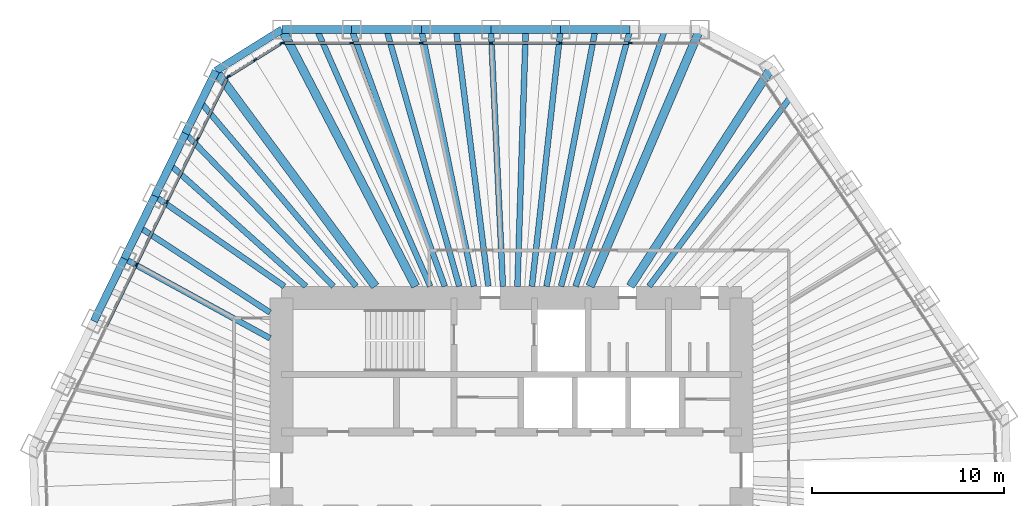
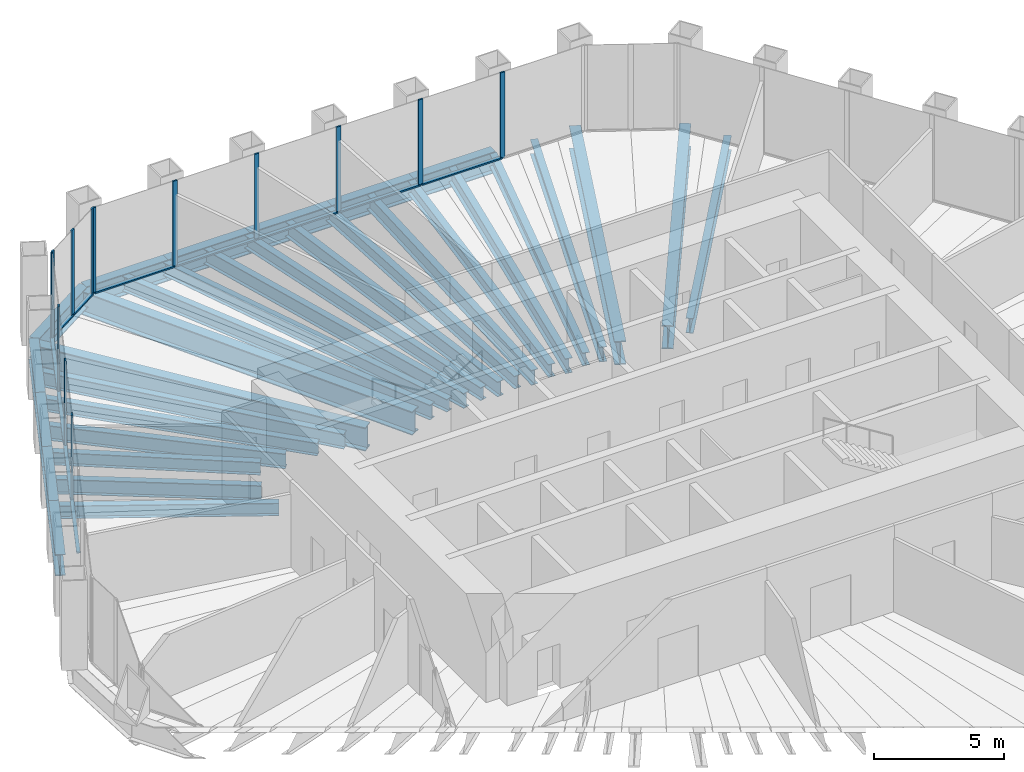
# One storey, part 6 of 14: 32 beams, 24 members, 3 elements without a shape of their own.
"""IFC4 building model written with IfcOpenShell, lengths in metres."""

import ifcopenshell
import ifcopenshell.guid

model = None  # the IFC model being written
_history = None  # IfcOwnerHistory: only IFC2X3 demands one
_inside = {}  # id of a spatial element -> (the spatial element, [elements in it])
_under = {}  # id of a project, library or spatial element -> (it, [spatial elements below it])
_declared = {}  # id of a project -> (the project, [libraries it declares])
_typed = {}  # id of a type object -> (the type object, [elements of that type])
_made_of = {}  # id of a material, layer set ... -> (it, [elements and type objects made of it])


def new_model(schema):
    """Start an empty IFC model of exactly this schema.

    Asked for "IFC4X3", IfcOpenShell would pick the latest addendum, in which some entities
    have other attributes; the version numbers below select the first issue.
    IFC2X3 requires an IfcOwnerHistory on every rooted entity: one is made here for all.
    """
    global model, _history
    if schema == "IFC4X3":
        model = ifcopenshell.file(schema_version=(4, 3, 0, 0))
    else:
        model = ifcopenshell.file(schema=schema)
    _inside.clear()
    _under.clear()
    _declared.clear()
    _typed.clear()
    _made_of.clear()
    _history = None
    if model.schema == "IFC2X3":
        org = make("IfcOrganization", Name="unknown")
        user = make(
            "IfcPersonAndOrganization",
            ThePerson=make("IfcPerson", FamilyName="unknown"),
            TheOrganization=org,
        )
        app = make(
            "IfcApplication",
            ApplicationDeveloper=org,
            Version="unknown",
            ApplicationFullName="unknown",
            ApplicationIdentifier="unknown",
        )
        _history = make(
            "IfcOwnerHistory",
            OwningUser=user,
            OwningApplication=app,
            ChangeAction="ADDED",
            CreationDate=0,
        )
    return model


def make(cls, **values):
    """One entity of the class cls with the attributes given. An attribute that is None is left unset."""
    return model.create_entity(
        cls, **{name: value for name, value in values.items() if value is not None}
    )


def rooted(cls, **values):
    """An entity with a GlobalId (a new one), such as an element, a storey or a relation."""
    return make(cls, GlobalId=ifcopenshell.guid.new(), OwnerHistory=_history, **values)


def si_unit(unit_type, name, prefix=None):
    """IfcSIUnit, for example si_unit("LENGTHUNIT", "METRE", prefix="MILLI")."""
    return make("IfcSIUnit", UnitType=unit_type, Prefix=prefix, Name=name)


def assignment(units):
    """IfcUnitAssignment: the units of a project."""
    return None if units is None else make("IfcUnitAssignment", Units=units)


def point(xyz):
    """IfcCartesianPoint."""
    return None if xyz is None else make("IfcCartesianPoint", Coordinates=xyz)


def direction(xyz):
    """IfcDirection."""
    return None if xyz is None else make("IfcDirection", DirectionRatios=xyz)


def frame(location, z_axis=None, x_axis=None):
    """IfcAxis2Placement3D, a coordinate frame: its origin and axes. An axis left out is left unset."""
    return make(
        "IfcAxis2Placement3D",
        Location=point(location),
        Axis=direction(z_axis),
        RefDirection=direction(x_axis),
    )


def frame_2d(location, x_axis=None):
    """IfcAxis2Placement2D, a coordinate frame in the plane: its origin and x axis."""
    return make(
        "IfcAxis2Placement2D", Location=point(location), RefDirection=direction(x_axis)
    )


def origin():
    """The frame at (0, 0, 0) with its axes left unset."""
    return frame((0.0, 0.0, 0.0))


def origin_2d():
    """The frame at (0, 0) in the plane with its x axis left unset."""
    return frame_2d((0.0, 0.0))


def place(relative_to, where):
    """IfcLocalPlacement: puts the frame where relative to a parent placement (None: the world)."""
    return make(
        "IfcLocalPlacement", PlacementRelTo=relative_to, RelativePlacement=where
    )


def context(
    kind, dimensions, precision=None, world=None, true_north=None, identifier=None
):
    """IfcGeometricRepresentationContext, for example the 3D "Model" context."""
    return make(
        "IfcGeometricRepresentationContext",
        ContextIdentifier=identifier,
        ContextType=kind,
        CoordinateSpaceDimension=dimensions,
        Precision=precision,
        WorldCoordinateSystem=world,
        TrueNorth=true_north,
    )


def subcontext(parent, identifier, kind, view, scale=None):
    """IfcGeometricRepresentationSubContext, for example "Body" below "Model"."""
    return make(
        "IfcGeometricRepresentationSubContext",
        ContextIdentifier=identifier,
        ContextType=kind,
        ParentContext=parent,
        TargetScale=scale,
        TargetView=view,
    )


def project(units=None, contexts=None):
    """IfcProject with its units and contexts."""
    return rooted(
        "IfcProject",
        Name="project",
        RepresentationContexts=contexts,
        UnitsInContext=assignment(units),
    )


def spatial(cls, under=None, at=None, **own):
    """A site, building, storey or space (cls), placed at a placement, below another one or the project."""
    s = rooted(cls, ObjectPlacement=at, **own)
    if under is not None:
        _under.setdefault(under.id(), (under, []))[1].append(s)
    return s


def profile(cls, at=None, kind="AREA", **sizes):
    """A parametric profile (cls). Its sizes go by their IFC names, for example OverallWidth=200.0."""
    return make(cls, ProfileType=kind, Position=at, **sizes)


def rectangle(**sizes):
    """IfcRectangleProfileDef."""
    return profile("IfcRectangleProfileDef", **sizes)


def i_section(**sizes):
    """IfcIShapeProfileDef."""
    return profile("IfcIShapeProfileDef", **sizes)


def extrude(swept, where, along, depth):
    """IfcExtrudedAreaSolid: the profile swept, set in the frame where, extruded along a direction by depth."""
    return make(
        "IfcExtrudedAreaSolid",
        SweptArea=swept,
        Position=where,
        ExtrudedDirection=direction(along),
        Depth=depth,
    )


def shape(context_of_items, identifier, shape_type, items):
    """IfcShapeRepresentation: the items that make up one representation, for example the "Body"."""
    return make(
        "IfcShapeRepresentation",
        ContextOfItems=context_of_items,
        RepresentationIdentifier=identifier,
        RepresentationType=shape_type,
        Items=items,
    )


def material(Name=None, Category=None):
    """IfcMaterial."""
    return make("IfcMaterial", Name=Name, Category=Category)


def material_profile(
    of_material, cross_section, Name=None, Category=None, Priority=None
):
    """IfcMaterialProfile: a cross section and its material."""
    return make(
        "IfcMaterialProfile",
        Name=Name,
        Material=of_material,
        Profile=cross_section,
        Priority=Priority,
        Category=Category,
    )


def profile_set(profiles, Name=None, composite=None):
    """IfcMaterialProfileSet."""
    return make(
        "IfcMaterialProfileSet",
        Name=Name,
        MaterialProfiles=profiles,
        CompositeProfile=composite,
    )


def made_of(thing, what):
    """Note that an element or type object is made of a material, layer set ...; save() writes the relation."""
    if what is not None:
        _made_of.setdefault(what.id(), (what, []))[1].append(thing)
    return thing


def type_object(cls, material=None, **own):
    """A type object (cls), such as IfcWallType, which elements share."""
    return made_of(rooted(cls, **own), material)


def element(
    cls,
    number,
    at=None,
    inside=None,
    cuts=None,
    type_object=None,
    material=None,
    context=None,
    identifier="Body",
    shape_type=None,
    held_by="IfcProductDefinitionShape",
    body=None,
    shapes=None,
    **own,
):
    """One element of the class cls, such as IfcWall. Its Tag is "e" and its number.

    at: its placement. inside: the storey or other place that contains it. cuts: it is an
    opening in that element (IfcRelVoidsElement). A single representation is given by context,
    identifier, shape_type and body (its items); several are given by shapes. held_by: the class
    of the entity that holds the representations. save() writes the other relations.
    """
    e = rooted(cls, Tag="e%d" % number, ObjectPlacement=at, **own)
    if body is not None:
        shapes = [shape(context, identifier, shape_type, body)]
    if shapes is not None:
        e.Representation = make(held_by, Representations=shapes)
    if inside is not None:
        _inside.setdefault(inside.id(), (inside, []))[1].append(e)
    if cuts is not None:
        rooted(
            "IfcRelVoidsElement", RelatingBuildingElement=cuts, RelatedOpeningElement=e
        )
    if type_object is not None:
        _typed.setdefault(type_object.id(), (type_object, []))[1].append(e)
    return made_of(e, material)


def aggregate(whole, parts):
    """IfcRelAggregates: a whole, such as a stair, and the parts it consists of."""
    return rooted("IfcRelAggregates", RelatingObject=whole, RelatedObjects=parts)


def save(model, path):
    """Write the relations noted so far, then the file.

    IfcRelAggregates (storeys below a building ...), IfcRelContainedInSpatialStructure (elements
    in a storey), IfcRelDefinesByType, IfcRelAssociatesMaterial and IfcRelDeclares: one each for
    every whole, place, type object, material and project.
    """
    for whole, parts in _under.values():
        aggregate(whole, parts)
    for where, things in _inside.values():
        rooted(
            "IfcRelContainedInSpatialStructure",
            RelatedElements=things,
            RelatingStructure=where,
        )
    for kind, things in _typed.values():
        rooted("IfcRelDefinesByType", RelatedObjects=things, RelatingType=kind)
    for what, things in _made_of.values():
        rooted("IfcRelAssociatesMaterial", RelatedObjects=things, RelatingMaterial=what)
    for by, libraries in _declared.values():
        rooted("IfcRelDeclares", RelatingContext=by, RelatedDefinitions=libraries)
    model.write(path)


model = new_model("IFC4")

# Units and contexts
model_context = context("Model", 3, precision=1e-05, world=origin(), true_north=direction((0.0, 1.0)))
body_context = subcontext(model_context, "Body", "Model", "MODEL_VIEW")
ifc_project = project(units=[si_unit("LENGTHUNIT", "METRE"), si_unit("AREAUNIT", "SQUARE_METRE"), si_unit("VOLUMEUNIT", "CUBIC_METRE"), si_unit("PLANEANGLEUNIT", "RADIAN"), si_unit("MASSUNIT", "GRAM", prefix="KILO")], contexts=[model_context])

# Site, building, storey
site_placement = place(None, origin())
site = spatial("IfcSite", under=ifc_project, at=site_placement, CompositionType="ELEMENT")
building_placement = place(site_placement, origin())
building = spatial("IfcBuilding", under=site, at=building_placement, Name="Qingtian Harvest Tower", CompositionType="ELEMENT")
storey_placement = place(building_placement, frame((0.0, 0.0, 243.39990234375)))
storey = spatial("IfcBuildingStorey", under=building, at=storey_placement, Name="L53", CompositionType="ELEMENT", Elevation=243.39990234375)

# Beams
ifc_material_1 = material(Name="Steel SM570MC", Category="steel")
ifc_material_profile_1 = material_profile(ifc_material_1, i_section(OverallWidth=0.449951171875, OverallDepth=1.10009765625, WebThickness=0.02197265625, FlangeThickness=0.044921875, at=origin_2d()), Name="H1100x450x22x45")
ifc_profile_set_1 = profile_set([ifc_material_profile_1], Name="Steel SM570MC")
beam_type_1 = type_object("IfcBeamType", Name="Corner floor beam FB8 H1100x450x22x45", PredefinedType="BEAM", material=ifc_profile_set_1)
beam_1_placement = place(storey_placement, frame((-11.971923828125, 23.0, -0.719970703125), z_axis=(0.461712460868, -0.887029651973, 0.0), x_axis=(0.887029651973, 0.461712460868, 0.0)))
element("IfcBeam", 1, at=beam_1_placement, inside=storey, type_object=beam_type_1, Name="Floor beam FB8 N0", PredefinedType="BEAM", context=body_context, shape_type="SweptSolid", body=[
    extrude(i_section(OverallWidth=0.449951171875, OverallDepth=1.10009765625, WebThickness=0.02197265625, FlangeThickness=0.044921875, at=origin_2d()), origin(), (0.0, 0.0, 1.0), 15.1064453125),
])
beam_2_placement = place(storey_placement, frame((9.829345703125, 23.0, -0.719970703125), z_axis=(-0.392976835482, -0.91954837109, 0.0), x_axis=(0.91954837109, -0.392976835482, 0.0)))
element("IfcBeam", 2, at=beam_2_placement, inside=storey, type_object=beam_type_1, Name="Floor beam FB8 N6", PredefinedType="BEAM", context=body_context, shape_type="SweptSolid", body=[
    extrude(i_section(OverallWidth=0.449951171875, OverallDepth=1.10009765625, WebThickness=0.02197265625, FlangeThickness=0.044921875, at=origin_2d()), origin(), (0.0, 0.0, 1.0), 14.572265625),
])
beam_3_placement = place(storey_placement, frame((13.5712890625, 21.01025390625, -0.719970703125), z_axis=(-0.542593072822, -0.839995688873, 0.0), x_axis=(0.839995688873, -0.542593072822, 0.0)))
element("IfcBeam", 3, at=beam_3_placement, inside=storey, type_object=beam_type_1, Name="Floor beam FB8 NE0", PredefinedType="BEAM", context=body_context, shape_type="SweptSolid", body=[
    extrude(i_section(OverallWidth=0.449951171875, OverallDepth=1.10009765625, WebThickness=0.02197265625, FlangeThickness=0.044921875, at=origin_2d()), origin(), (0.0, 0.0, 1.0), 13.58349609375),
])
beam_4_placement = place(storey_placement, frame((-15.424072265625, 20.8427734375, -0.719970703125), z_axis=(0.594854284538, -0.803833552526, 0.0), x_axis=(0.803833552526, 0.594854284538, 0.0)))
element("IfcBeam", 4, at=beam_4_placement, inside=storey, type_object=beam_type_1, Name="Floor beam FB8 NW6", PredefinedType="BEAM", context=body_context, shape_type="SweptSolid", body=[
    extrude(i_section(OverallWidth=0.449951171875, OverallDepth=1.10009765625, WebThickness=0.02197265625, FlangeThickness=0.044921875, at=origin_2d()), origin(), (0.0, 0.0, 1.0), 13.986328125),
])
ifc_material_2 = material(Name="Steel SN490B", Category="steel")
ifc_material_profile_2 = material_profile(ifc_material_2, i_section(OverallWidth=0.300048828125, OverallDepth=0.60009765625, WebThickness=0.011962890625, FlangeThickness=0.02001953125, at=origin_2d()), Name="H600x300x12x20")
ifc_profile_set_2 = profile_set([ifc_material_profile_2], Name="Steel SN490B")
beam_type_2 = type_object("IfcBeamType", Name="Floor beam FB3 H600x300x12x20", PredefinedType="BEAM", material=ifc_profile_set_2)
beam_5_placement = place(storey_placement, frame((-8.33837890625, 23.0, -0.469970703125), z_axis=(0.340826952705, -0.94012604916, 0.0), x_axis=(0.94012604916, 0.340826952705, 0.0)))
element("IfcBeam", 5, at=beam_5_placement, inside=storey, type_object=beam_type_2, Name="Floor beam FB3 N1", PredefinedType="BEAM", context=body_context, shape_type="SweptSolid", body=[
    extrude(i_section(OverallWidth=0.300048828125, OverallDepth=0.60009765625, WebThickness=0.011962890625, FlangeThickness=0.02001953125, at=origin_2d()), origin(), (0.0, 0.0, 1.0), 14.25341796875),
])
beam_6_placement = place(storey_placement, frame((-4.704833984375, 23.0, -0.469970703125), z_axis=(0.200401687601, -0.979713817197, 0.0), x_axis=(0.979713817197, 0.200401687601, 0.0)))
element("IfcBeam", 6, at=beam_6_placement, inside=storey, type_object=beam_type_2, Name="Floor beam FB3 N2", PredefinedType="BEAM", context=body_context, shape_type="SweptSolid", body=[
    extrude(i_section(OverallWidth=0.300048828125, OverallDepth=0.60009765625, WebThickness=0.011962890625, FlangeThickness=0.02001953125, at=origin_2d()), origin(), (0.0, 0.0, 1.0), 13.67724609375),
])
beam_7_placement = place(storey_placement, frame((-1.0712890625, 23.0, -0.469970703125), z_axis=(0.04651883736, -0.998917412888, 0.0), x_axis=(0.998917412888, 0.04651883736, 0.0)))
element("IfcBeam", 7, at=beam_7_placement, inside=storey, type_object=beam_type_2, Name="Floor beam FB3 N3", PredefinedType="BEAM", context=body_context, shape_type="SweptSolid", body=[
    extrude(i_section(OverallWidth=0.300048828125, OverallDepth=0.60009765625, WebThickness=0.011962890625, FlangeThickness=0.02001953125, at=origin_2d()), origin(), (0.0, 0.0, 1.0), 13.414306640625),
])
beam_8_placement = place(storey_placement, frame((2.562255859375, 23.0, -0.469970703125), z_axis=(-0.110727645803, -0.993850787822, 0.0), x_axis=(0.993850787822, -0.110727645803, 0.0)))
element("IfcBeam", 8, at=beam_8_placement, inside=storey, type_object=beam_type_2, Name="Floor beam FB3 N4", PredefinedType="BEAM", context=body_context, shape_type="SweptSolid", body=[
    extrude(i_section(OverallWidth=0.300048828125, OverallDepth=0.60009765625, WebThickness=0.011962890625, FlangeThickness=0.02001953125, at=origin_2d()), origin(), (0.0, 0.0, 1.0), 13.48291015625),
])
beam_9_placement = place(storey_placement, frame((6.19580078125, 23.0, -0.469970703125), z_axis=(-0.260121100906, -0.965576000563, 0.0), x_axis=(0.965576000563, -0.260121100906, 0.0)))
element("IfcBeam", 9, at=beam_9_placement, inside=storey, type_object=beam_type_2, Name="Floor beam FB3 N5", PredefinedType="BEAM", context=body_context, shape_type="SweptSolid", body=[
    extrude(i_section(OverallWidth=0.300048828125, OverallDepth=0.60009765625, WebThickness=0.011962890625, FlangeThickness=0.02001953125, at=origin_2d()), origin(), (0.0, 0.0, 1.0), 13.877685546875),
])
beam_10_placement = place(storey_placement, frame((-20.20263671875, 11.04541015625, -0.469970703125), z_axis=(0.87742673539, -0.479710666988, 0.0), x_axis=(0.479710666988, 0.87742673539, 0.0)))
element("IfcBeam", 10, at=beam_10_placement, inside=storey, type_object=beam_type_2, Name="Floor beam FB3 NW3", PredefinedType="BEAM", context=body_context, shape_type="SweptSolid", body=[
    extrude(i_section(OverallWidth=0.300048828125, OverallDepth=0.60009765625, WebThickness=0.011962890625, FlangeThickness=0.02001953125, at=origin_2d()), origin(), (0.0, 0.0, 1.0), 8.66455078125),
])
beam_11_placement = place(storey_placement, frame((-18.60986328125, 14.311279296875, -0.469970703125), z_axis=(0.820407854234, -0.571778762032, 0.0), x_axis=(0.571778762032, 0.820407854234, 0.0)))
element("IfcBeam", 11, at=beam_11_placement, inside=storey, type_object=beam_type_2, Name="Floor beam FB3 NW4", PredefinedType="BEAM", context=body_context, shape_type="SweptSolid", body=[
    extrude(i_section(OverallWidth=0.300048828125, OverallDepth=0.60009765625, WebThickness=0.011962890625, FlangeThickness=0.02001953125, at=origin_2d()), origin(), (0.0, 0.0, 1.0), 8.239501953125),
])
beam_12_placement = place(storey_placement, frame((-17.016845703125, 17.5771484375, -0.469970703125), z_axis=(0.695569024353, -0.718459276759, 0.0), x_axis=(0.718459276759, 0.695569024353, 0.0)))
element("IfcBeam", 12, at=beam_12_placement, inside=storey, type_object=beam_type_2, Name="Floor beam FB3 NW5", PredefinedType="BEAM", context=body_context, shape_type="SweptSolid", body=[
    extrude(i_section(OverallWidth=0.300048828125, OverallDepth=0.60009765625, WebThickness=0.011962890625, FlangeThickness=0.02001953125, at=origin_2d()), origin(), (0.0, 0.0, 1.0), 11.10302734375),
])
ifc_material_3 = material(Name="Steel SN490B", Category="steel")
ifc_material_profile_3 = material_profile(ifc_material_3, i_section(OverallWidth=0.300048828125, OverallDepth=0.699951171875, WebThickness=0.012939453125, FlangeThickness=0.02392578125, at=origin_2d()), Name="H700x300x13x24")
ifc_profile_set_3 = profile_set([ifc_material_profile_3], Name="Steel SN490B")
beam_type_3 = type_object("IfcBeamType", Name="Floor joist J2 H700x300x13x24", PredefinedType="JOIST", material=ifc_profile_set_3)
beam_13_placement = place(storey_placement, frame((-10.1552734375, 23.0, -0.52001953125), z_axis=(0.40391347792, -0.914797191925, 0.0), x_axis=(0.914797191925, 0.40391347792, 0.0)))
element("IfcBeam", 13, at=beam_13_placement, inside=storey, type_object=beam_type_3, Name="Floor joist J2 N0", PredefinedType="JOIST", context=body_context, shape_type="SweptSolid", body=[
    extrude(i_section(OverallWidth=0.300048828125, OverallDepth=0.699951171875, WebThickness=0.012939453125, FlangeThickness=0.02392578125, at=origin_2d()), origin(), (0.0, 0.0, 1.0), 14.64794921875),
])
beam_14_placement = place(storey_placement, frame((-6.521728515625, 23.0, -0.52001953125), z_axis=(0.272796737564, -0.962071691702, 0.0), x_axis=(0.962071691702, 0.272796737564, 0.0)))
element("IfcBeam", 14, at=beam_14_placement, inside=storey, type_object=beam_type_3, Name="Floor joist J2 N1", PredefinedType="JOIST", context=body_context, shape_type="SweptSolid", body=[
    extrude(i_section(OverallWidth=0.300048828125, OverallDepth=0.699951171875, WebThickness=0.012939453125, FlangeThickness=0.02392578125, at=origin_2d()), origin(), (0.0, 0.0, 1.0), 13.92822265625),
])
beam_15_placement = place(storey_placement, frame((-2.88818359375, 23.0, -0.52001953125), z_axis=(0.124590949529, -0.992208191508, 0.0), x_axis=(0.992208191508, 0.124590949529, 0.0)))
element("IfcBeam", 15, at=beam_15_placement, inside=storey, type_object=beam_type_3, Name="Floor joist J2 N2", PredefinedType="JOIST", context=body_context, shape_type="SweptSolid", body=[
    extrude(i_section(OverallWidth=0.300048828125, OverallDepth=0.699951171875, WebThickness=0.012939453125, FlangeThickness=0.02392578125, at=origin_2d()), origin(), (0.0, 0.0, 1.0), 13.505126953125),
])
beam_16_placement = place(storey_placement, frame((0.745361328125, 23.0, -0.52001953125), z_axis=(-0.032395624487, -0.99947512401, 0.0), x_axis=(0.99947512401, -0.032395624487, 0.0)))
element("IfcBeam", 16, at=beam_16_placement, inside=storey, type_object=beam_type_3, Name="Floor joist J2 N3", PredefinedType="JOIST", context=body_context, shape_type="SweptSolid", body=[
    extrude(i_section(OverallWidth=0.300048828125, OverallDepth=0.699951171875, WebThickness=0.012939453125, FlangeThickness=0.02392578125, at=origin_2d()), origin(), (0.0, 0.0, 1.0), 13.406982421875),
])
beam_17_placement = place(storey_placement, frame((4.37890625, 23.0, -0.52001953125), z_axis=(-0.187034797062, -0.982353289142, 0.0), x_axis=(0.982353289142, -0.187034797062, 0.0)))
element("IfcBeam", 17, at=beam_17_placement, inside=storey, type_object=beam_type_3, Name="Floor joist J2 N4", PredefinedType="JOIST", context=body_context, shape_type="SweptSolid", body=[
    extrude(i_section(OverallWidth=0.300048828125, OverallDepth=0.699951171875, WebThickness=0.012939453125, FlangeThickness=0.02392578125, at=origin_2d()), origin(), (0.0, 0.0, 1.0), 13.640625),
])
beam_18_placement = place(storey_placement, frame((8.012451171875, 23.0, -0.52001953125), z_axis=(-0.328969033283, -0.944340709247, 0.0), x_axis=(0.944340709247, -0.328969033283, 0.0)))
element("IfcBeam", 18, at=beam_18_placement, inside=storey, type_object=beam_type_3, Name="Floor joist J2 N5", PredefinedType="JOIST", context=body_context, shape_type="SweptSolid", body=[
    extrude(i_section(OverallWidth=0.300048828125, OverallDepth=0.699951171875, WebThickness=0.012939453125, FlangeThickness=0.02392578125, at=origin_2d()), origin(), (0.0, 0.0, 1.0), 14.189697265625),
])
beam_19_placement = place(storey_placement, frame((14.58740234375, 19.504150390625, -0.52001953125), z_axis=(-0.598935081494, -0.800797582511, 0.0), x_axis=(0.800797582511, -0.598935081494, 0.0)))
element("IfcBeam", 19, at=beam_19_placement, inside=storey, type_object=beam_type_3, Name="Floor joist J2 NE0", PredefinedType="JOIST", context=body_context, shape_type="SweptSolid", body=[
    extrude(i_section(OverallWidth=0.300048828125, OverallDepth=0.699951171875, WebThickness=0.012939453125, FlangeThickness=0.02392578125, at=origin_2d()), origin(), (0.0, 0.0, 1.0), 12.36767578125),
])
beam_20_placement = place(storey_placement, frame((-19.40625, 12.678466796875, -0.52001953125), z_axis=(0.837161066611, -0.546956441182, 0.0), x_axis=(0.546956441182, 0.837161066611, 0.0)))
element("IfcBeam", 20, at=beam_20_placement, inside=storey, type_object=beam_type_3, Name="Floor joist J2 NW3", PredefinedType="JOIST", context=body_context, shape_type="SweptSolid", body=[
    extrude(i_section(OverallWidth=0.300048828125, OverallDepth=0.699951171875, WebThickness=0.012939453125, FlangeThickness=0.02392578125, at=origin_2d()), origin(), (0.0, 0.0, 1.0), 8.130126953125),
])
beam_21_placement = place(storey_placement, frame((-17.813232421875, 15.944091796875, -0.52001953125), z_axis=(0.745126517589, -0.66692313859, 0.0), x_axis=(0.66692313859, 0.745126517589, 0.0)))
element("IfcBeam", 21, at=beam_21_placement, inside=storey, type_object=beam_type_3, Name="Floor joist J2 NW4", PredefinedType="JOIST", context=body_context, shape_type="SweptSolid", body=[
    extrude(i_section(OverallWidth=0.300048828125, OverallDepth=0.699951171875, WebThickness=0.012939453125, FlangeThickness=0.02392578125, at=origin_2d()), origin(), (0.0, 0.0, 1.0), 9.512451171875),
])
beam_22_placement = place(storey_placement, frame((-16.220458984375, 19.2099609375, -0.52001953125), z_axis=(0.645157903911, -0.764049264787, 0.0), x_axis=(0.764049264787, 0.645157903911, 0.0)))
element("IfcBeam", 22, at=beam_22_placement, inside=storey, type_object=beam_type_3, Name="Floor joist J2 NW5", PredefinedType="JOIST", context=body_context, shape_type="SweptSolid", body=[
    extrude(i_section(OverallWidth=0.300048828125, OverallDepth=0.699951171875, WebThickness=0.012939453125, FlangeThickness=0.02392578125, at=origin_2d()), origin(), (0.0, 0.0, 1.0), 12.57763671875),
])

# Curtain wall, members
ifc_material_4 = material(Name="Bronze-anodised aluminium curtain wall", Category="aluminium")
curtain_wall_type = type_object("IfcCurtainWallType", Name="Curtain wall CW4 office", PredefinedType="USERDEFINED", material=ifc_material_4)
curtain_wall_1_placement = place(storey_placement, origin())
curtain_wall_1 = element("IfcCurtainWall", 23, at=curtain_wall_1_placement, inside=storey, type_object=curtain_wall_type, Name="Curtain wall CW4 L53 N0-5", ObjectType="RECESSED CURTAIN WALL", PredefinedType="USERDEFINED")
ifc_material_5 = material(Name="Bronze-anodised aluminium mullion", Category="aluminium")
ifc_material_profile_4 = material_profile(ifc_material_5, rectangle(XDim=0.06494140625, YDim=0.199951171875, at=origin_2d()), Name="AL 65x200")
ifc_profile_set_4 = profile_set([ifc_material_profile_4], Name="Bronze-anodised aluminium mullion")
member_type_1 = type_object("IfcMemberType", Name="Mullion CWM 65x200", PredefinedType="MULLION", material=ifc_profile_set_4)
member_1_placement = place(storey_placement, frame((-11.939453125, 22.300048828125, 0.0), z_axis=(0.0, 0.0, 1.0), x_axis=(0.0, 1.0, 0.0)))
member_1 = element("IfcMember", 24, at=member_1_placement, type_object=member_type_1, Name="CW4 mullion 1", PredefinedType="MULLION", context=body_context, shape_type="SweptSolid", body=[
    extrude(rectangle(XDim=0.06494140625, YDim=0.199951171875, at=origin_2d()), origin(), (0.0, 0.0, 1.0), 4.030029296875),
])
member_2_placement = place(storey_placement, frame((-8.33837890625, 22.300048828125, 0.0), z_axis=(0.0, 0.0, 1.0), x_axis=(0.0, 1.0, 0.0)))
member_2 = element("IfcMember", 25, at=member_2_placement, type_object=member_type_1, Name="CW4 mullion 2", PredefinedType="MULLION", context=body_context, shape_type="SweptSolid", body=[
    extrude(rectangle(XDim=0.06494140625, YDim=0.199951171875, at=origin_2d()), origin(), (0.0, 0.0, 1.0), 4.030029296875),
])
member_3_placement = place(storey_placement, frame((-4.704833984375, 22.300048828125, 0.0), z_axis=(0.0, 0.0, 1.0), x_axis=(0.0, 1.0, 0.0)))
member_3 = element("IfcMember", 26, at=member_3_placement, type_object=member_type_1, Name="CW4 mullion 3", PredefinedType="MULLION", context=body_context, shape_type="SweptSolid", body=[
    extrude(rectangle(XDim=0.06494140625, YDim=0.199951171875, at=origin_2d()), origin(), (0.0, 0.0, 1.0), 4.030029296875),
])
member_4_placement = place(storey_placement, frame((-1.0712890625, 22.300048828125, 0.0), z_axis=(0.0, 0.0, 1.0), x_axis=(0.0, 1.0, 0.0)))
member_4 = element("IfcMember", 27, at=member_4_placement, type_object=member_type_1, Name="CW4 mullion 4", PredefinedType="MULLION", context=body_context, shape_type="SweptSolid", body=[
    extrude(rectangle(XDim=0.06494140625, YDim=0.199951171875, at=origin_2d()), origin(), (0.0, 0.0, 1.0), 4.030029296875),
])
member_5_placement = place(storey_placement, frame((2.562255859375, 22.300048828125, 0.0), z_axis=(0.0, 0.0, 1.0), x_axis=(0.0, 1.0, 0.0)))
member_5 = element("IfcMember", 28, at=member_5_placement, type_object=member_type_1, Name="CW4 mullion 5", PredefinedType="MULLION", context=body_context, shape_type="SweptSolid", body=[
    extrude(rectangle(XDim=0.06494140625, YDim=0.199951171875, at=origin_2d()), origin(), (0.0, 0.0, 1.0), 4.030029296875),
])
member_6_placement = place(storey_placement, frame((6.19580078125, 22.300048828125, 0.0), z_axis=(0.0, 0.0, 1.0), x_axis=(0.0, 1.0, 0.0)))
member_6 = element("IfcMember", 29, at=member_6_placement, type_object=member_type_1, Name="CW4 mullion 6", PredefinedType="MULLION", context=body_context, shape_type="SweptSolid", body=[
    extrude(rectangle(XDim=0.06494140625, YDim=0.199951171875, at=origin_2d()), origin(), (0.0, 0.0, 1.0), 4.030029296875),
])

curtain_wall_2_placement = place(storey_placement, origin())
curtain_wall_2 = element("IfcCurtainWall", 30, at=curtain_wall_2_placement, inside=storey, type_object=curtain_wall_type, Name="Curtain wall CW4 L53 NW0-5", ObjectType="RECESSED CURTAIN WALL", PredefinedType="USERDEFINED")
member_7_placement = place(storey_placement, frame((-19.573486328125, 10.738525390625, 0.0), z_axis=(0.0, 0.0, 1.0), x_axis=(-0.898794046299, 0.438371146789, 0.0)))
member_7 = element("IfcMember", 31, at=member_7_placement, type_object=member_type_1, Name="CW4 mullion 4", PredefinedType="MULLION", context=body_context, shape_type="SweptSolid", body=[
    extrude(rectangle(XDim=0.06494140625, YDim=0.199951171875, at=origin_2d()), origin(), (0.0, 0.0, 1.0), 4.030029296875),
])
member_8_placement = place(storey_placement, frame((-17.980712890625, 14.00439453125, 0.0), z_axis=(0.0, 0.0, 1.0), x_axis=(-0.898794046299, 0.438371146789, 0.0)))
member_8 = element("IfcMember", 32, at=member_8_placement, type_object=member_type_1, Name="CW4 mullion 5", PredefinedType="MULLION", context=body_context, shape_type="SweptSolid", body=[
    extrude(rectangle(XDim=0.06494140625, YDim=0.199951171875, at=origin_2d()), origin(), (0.0, 0.0, 1.0), 4.030029296875),
])
member_9_placement = place(storey_placement, frame((-16.3876953125, 17.270263671875, 0.0), z_axis=(0.0, 0.0, 1.0), x_axis=(-0.898794046299, 0.438371146789, 0.0)))
member_9 = element("IfcMember", 33, at=member_9_placement, type_object=member_type_1, Name="CW4 mullion 6", PredefinedType="MULLION", context=body_context, shape_type="SweptSolid", body=[
    extrude(rectangle(XDim=0.06494140625, YDim=0.199951171875, at=origin_2d()), origin(), (0.0, 0.0, 1.0), 4.030029296875),
])
member_10_placement = place(storey_placement, frame((-14.80908203125, 20.5068359375, 0.0), z_axis=(0.0, 0.0, 1.0), x_axis=(-0.898794046299, 0.438371146789, 0.0)))
member_10 = element("IfcMember", 34, at=member_10_placement, type_object=member_type_1, Name="CW4 mullion 7", PredefinedType="MULLION", context=body_context, shape_type="SweptSolid", body=[
    extrude(rectangle(XDim=0.06494140625, YDim=0.199951171875, at=origin_2d()), origin(), (0.0, 0.0, 1.0), 4.030029296875),
])

curtain_wall_3_placement = place(storey_placement, origin())
curtain_wall_3 = element("IfcCurtainWall", 35, at=curtain_wall_3_placement, inside=storey, type_object=curtain_wall_type, Name="Curtain wall CW4 L53 NWC", ObjectType="RECESSED CURTAIN WALL", PredefinedType="USERDEFINED")
member_11_placement = place(storey_placement, frame((-14.767333984375, 20.55322265625, 0.0), z_axis=(0.0, 0.0, 1.0), x_axis=(-0.529919264233, 0.848048096156, 0.0)))
member_11 = element("IfcMember", 36, at=member_11_placement, type_object=member_type_1, Name="CW4 mullion 1", PredefinedType="MULLION", context=body_context, shape_type="SweptSolid", body=[
    extrude(rectangle(XDim=0.06494140625, YDim=0.199951171875, at=origin_2d()), origin(), (0.0, 0.0, 1.0), 4.030029296875),
])
member_12_placement = place(storey_placement, frame((-13.383544921875, 21.41796875, 0.0), z_axis=(0.0, 0.0, 1.0), x_axis=(-0.529919264233, 0.848048096156, 0.0)))
member_12 = element("IfcMember", 37, at=member_12_placement, type_object=member_type_1, Name="CW4 mullion 2", PredefinedType="MULLION", context=body_context, shape_type="SweptSolid", body=[
    extrude(rectangle(XDim=0.06494140625, YDim=0.199951171875, at=origin_2d()), origin(), (0.0, 0.0, 1.0), 4.030029296875),
])
member_13_placement = place(storey_placement, frame((-11.99951171875, 22.28271484375, 0.0), z_axis=(0.0, 0.0, 1.0), x_axis=(-0.529919264233, 0.848048096156, 0.0)))
member_13 = element("IfcMember", 38, at=member_13_placement, type_object=member_type_1, Name="CW4 mullion 3", PredefinedType="MULLION", context=body_context, shape_type="SweptSolid", body=[
    extrude(rectangle(XDim=0.06494140625, YDim=0.199951171875, at=origin_2d()), origin(), (0.0, 0.0, 1.0), 4.030029296875),
])

# Beams
ifc_material_6 = material(Name="Steel SN490B", Category="steel")
ifc_material_profile_5 = material_profile(ifc_material_6, i_section(OverallWidth=0.39990234375, OverallDepth=1.0, WebThickness=0.01904296875, FlangeThickness=0.035888671875, at=origin_2d()), Name="H1000x400x19x36")
ifc_profile_set_5 = profile_set([ifc_material_profile_5], Name="Steel SN490B")
beam_type_4 = type_object("IfcBeamType", Name="Spandrel beam SB3 H1000x400x19x36", PredefinedType="SPANDREL", material=ifc_profile_set_5)
for number, where, z_axis, x_axis, name in (
    (39, (-11.971923828125, 23.0, -0.5), (1.0, 0.0, 0.0), (0.0, 1.0, 0.0), "Spandrel SB3 N0"),
    (40, (-8.33837890625, 23.0, -0.5), (1.0, 0.0, 0.0), (0.0, 1.0, 0.0), "Spandrel SB3 N1"),
    (41, (-4.704833984375, 23.0, -0.5), (1.0, 0.0, 0.0), (0.0, 1.0, 0.0), "Spandrel SB3 N2"),
    (42, (-1.0712890625, 23.0, -0.5), (1.0, 0.0, 0.0), (0.0, 1.0, 0.0), "Spandrel SB3 N3"),
    (43, (2.562255859375, 23.0, -0.5), (1.0, 0.0, 0.0), (0.0, 1.0, 0.0), "Spandrel SB3 N4"),
    (44, (-21.79541015625, 7.779541015625, -0.5), (0.438349498419, 0.898804604592, 0.0), (-0.898804604592, 0.438349498419, 0.0), "Spandrel SB3 NW2"),
    (45, (-20.20263671875, 11.04541015625, -0.5), (0.438349498419, 0.898804604592, 0.0), (-0.898804604592, 0.438349498419, 0.0), "Spandrel SB3 NW3"),
):
    element("IfcBeam", number, at=place(storey_placement, frame(where, z_axis=z_axis, x_axis=x_axis)), inside=storey, type_object=beam_type_4, Name=name, PredefinedType="SPANDREL", context=body_context, shape_type="SweptSolid", body=[
        extrude(i_section(OverallWidth=0.39990234375, OverallDepth=1.0, WebThickness=0.01904296875, FlangeThickness=0.035888671875, at=origin_2d()), origin(), (0.0, 0.0, 1.0), 3.633544921875),
    ])
beam_23_placement = place(storey_placement, frame((-18.60986328125, 14.311279296875, -0.5), z_axis=(0.438403775684, 0.898778131391, 0.0), x_axis=(-0.898778131391, 0.438403775684, 0.0)))
element("IfcBeam", 46, at=beam_23_placement, inside=storey, type_object=beam_type_4, Name="Spandrel SB3 NW4", PredefinedType="SPANDREL", context=body_context, shape_type="SweptSolid", body=[
    extrude(i_section(OverallWidth=0.39990234375, OverallDepth=1.0, WebThickness=0.01904296875, FlangeThickness=0.035888671875, at=origin_2d()), origin(), (0.0, 0.0, 1.0), 3.6337890625),
])
beam_24_placement = place(storey_placement, frame((-17.016845703125, 17.5771484375, -0.5), z_axis=(0.43837597217, 0.898791692788, 0.0), x_axis=(-0.898791692788, 0.43837597217, 0.0)))
element("IfcBeam", 47, at=beam_24_placement, inside=storey, type_object=beam_type_4, Name="Spandrel SB3 NW5", PredefinedType="SPANDREL", context=body_context, shape_type="SweptSolid", body=[
    extrude(i_section(OverallWidth=0.39990234375, OverallDepth=1.0, WebThickness=0.01904296875, FlangeThickness=0.035888671875, at=origin_2d()), origin(), (0.0, 0.0, 1.0), 3.63330078125),
])
beam_25_placement = place(storey_placement, frame((-15.424072265625, 20.8427734375, -0.5), z_axis=(0.848038733752, 0.529934246919, 0.0), x_axis=(-0.529934246919, 0.848038733752, 0.0)))
element("IfcBeam", 48, at=beam_25_placement, inside=storey, type_object=beam_type_4, Name="Spandrel SB3 NWC", PredefinedType="SPANDREL", context=body_context, shape_type="SweptSolid", body=[
    extrude(i_section(OverallWidth=0.39990234375, OverallDepth=1.0, WebThickness=0.01904296875, FlangeThickness=0.035888671875, at=origin_2d()), origin(), (0.0, 0.0, 1.0), 4.07080078125),
])

# Member
ifc_material_7 = material(Name="Bronze-anodised aluminium transom", Category="aluminium")
ifc_material_profile_6 = material_profile(ifc_material_7, rectangle(XDim=0.14990234375, YDim=0.06494140625, at=origin_2d()), Name="AL 65x150")
ifc_profile_set_6 = profile_set([ifc_material_profile_6], Name="Bronze-anodised aluminium transom")
member_type_2 = type_object("IfcMemberType", Name="Transom CWT 65x150", PredefinedType="USERDEFINED", material=ifc_profile_set_6)
member_14_placement = place(storey_placement, frame((-11.906982421875, 22.300048828125, 0.03271484375), z_axis=(1.0, 0.0, 0.0), x_axis=(0.0, 1.0, 0.0)))
member_14 = element("IfcMember", 49, at=member_14_placement, type_object=member_type_2, Name="CW4 transom 1.1", ObjectType="TRANSOM", PredefinedType="USERDEFINED", context=body_context, shape_type="SweptSolid", body=[
    extrude(rectangle(XDim=0.14990234375, YDim=0.06494140625, at=origin_2d()), origin(), (0.0, 0.0, 1.0), 3.5361328125),
])

member_15_placement = place(storey_placement, frame((-8.305908203125, 22.300048828125, 0.03271484375), z_axis=(1.0, 0.0, 0.0), x_axis=(0.0, 1.0, 0.0)))
member_15 = element("IfcMember", 50, at=member_15_placement, type_object=member_type_2, Name="CW4 transom 2.1", ObjectType="TRANSOM", PredefinedType="USERDEFINED", context=body_context, shape_type="SweptSolid", body=[
    extrude(rectangle(XDim=0.14990234375, YDim=0.06494140625, at=origin_2d()), origin(), (0.0, 0.0, 1.0), 3.568603515625),
])

member_16_placement = place(storey_placement, frame((-4.67236328125, 22.300048828125, 0.03271484375), z_axis=(1.0, 0.0, 0.0), x_axis=(0.0, 1.0, 0.0)))
member_16 = element("IfcMember", 51, at=member_16_placement, type_object=member_type_2, Name="CW4 transom 3.1", ObjectType="TRANSOM", PredefinedType="USERDEFINED", context=body_context, shape_type="SweptSolid", body=[
    extrude(rectangle(XDim=0.14990234375, YDim=0.06494140625, at=origin_2d()), origin(), (0.0, 0.0, 1.0), 3.568603515625),
])

member_17_placement = place(storey_placement, frame((-1.038818359375, 22.300048828125, 0.03271484375), z_axis=(1.0, 0.0, 0.0), x_axis=(0.0, 1.0, 0.0)))
member_17 = element("IfcMember", 52, at=member_17_placement, type_object=member_type_2, Name="CW4 transom 4.1", ObjectType="TRANSOM", PredefinedType="USERDEFINED", context=body_context, shape_type="SweptSolid", body=[
    extrude(rectangle(XDim=0.14990234375, YDim=0.06494140625, at=origin_2d()), origin(), (0.0, 0.0, 1.0), 3.568603515625),
])

member_18_placement = place(storey_placement, frame((2.5947265625, 22.300048828125, 0.03271484375), z_axis=(1.0, 0.0, 0.0), x_axis=(0.0, 1.0, 0.0)))
member_18 = element("IfcMember", 53, at=member_18_placement, type_object=member_type_2, Name="CW4 transom 5.1", ObjectType="TRANSOM", PredefinedType="USERDEFINED", context=body_context, shape_type="SweptSolid", body=[
    extrude(rectangle(XDim=0.14990234375, YDim=0.06494140625, at=origin_2d()), origin(), (0.0, 0.0, 1.0), 3.568603515625),
])

aggregate(curtain_wall_1, [member_1, member_2, member_3, member_4, member_5, member_6, member_14, member_15, member_16, member_17, member_18])

member_19_placement = place(storey_placement, frame((-21.152099609375, 7.501953125, 0.03271484375), z_axis=(0.438380500422, 0.898789484167, 0.0), x_axis=(-0.898789484167, 0.438380500422, 0.0)))
member_19 = element("IfcMember", 54, at=member_19_placement, type_object=member_type_2, Name="CW4 transom 3.1", ObjectType="TRANSOM", PredefinedType="USERDEFINED", context=body_context, shape_type="SweptSolid", body=[
    extrude(rectangle(XDim=0.14990234375, YDim=0.06494140625, at=origin_2d()), origin(), (0.0, 0.0, 1.0), 3.568603515625),
])

member_20_placement = place(storey_placement, frame((-19.559326171875, 10.767822265625, 0.03271484375), z_axis=(0.438407456795, 0.898776335818, 0.0), x_axis=(-0.898776335818, 0.438407456795, 0.0)))
member_20 = element("IfcMember", 55, at=member_20_placement, type_object=member_type_2, Name="CW4 transom 4.1", ObjectType="TRANSOM", PredefinedType="USERDEFINED", context=body_context, shape_type="SweptSolid", body=[
    extrude(rectangle(XDim=0.14990234375, YDim=0.06494140625, at=origin_2d()), origin(), (0.0, 0.0, 1.0), 3.568603515625),
])

member_21_placement = place(storey_placement, frame((-17.96630859375, 14.03369140625, 0.03271484375), z_axis=(0.438352188226, 0.898803292761, 0.0), x_axis=(-0.898803292761, 0.438352188226, 0.0)))
member_21 = element("IfcMember", 56, at=member_21_placement, type_object=member_type_2, Name="CW4 transom 5.1", ObjectType="TRANSOM", PredefinedType="USERDEFINED", context=body_context, shape_type="SweptSolid", body=[
    extrude(rectangle(XDim=0.14990234375, YDim=0.06494140625, at=origin_2d()), origin(), (0.0, 0.0, 1.0), 3.568359375),
])

member_22_placement = place(storey_placement, frame((-16.37353515625, 17.29931640625, 0.03271484375), z_axis=(0.438354255898, 0.898802284341, 0.0), x_axis=(-0.898802284341, 0.438354255898, 0.0)))
member_22 = element("IfcMember", 57, at=member_22_placement, type_object=member_type_2, Name="CW4 transom 6.1", ObjectType="TRANSOM", PredefinedType="USERDEFINED", context=body_context, shape_type="SweptSolid", body=[
    extrude(rectangle(XDim=0.14990234375, YDim=0.06494140625, at=origin_2d()), origin(), (0.0, 0.0, 1.0), 3.5361328125),
])

aggregate(curtain_wall_2, [member_7, member_8, member_9, member_10, member_19, member_20, member_21, member_22])

member_23_placement = place(storey_placement, frame((-14.73974609375, 20.570556640625, 0.03271484375), z_axis=(0.848015812303, 0.529970925697, 0.0), x_axis=(-0.529970925697, 0.848015812303, 0.0)))
member_23 = element("IfcMember", 58, at=member_23_placement, type_object=member_type_2, Name="CW4 transom 1.1", ObjectType="TRANSOM", PredefinedType="USERDEFINED", context=body_context, shape_type="SweptSolid", body=[
    extrude(rectangle(XDim=0.14990234375, YDim=0.06494140625, at=origin_2d()), origin(), (0.0, 0.0, 1.0), 1.566650390625),
])

member_24_placement = place(storey_placement, frame((-13.35595703125, 21.435302734375, 0.03271484375), z_axis=(0.848059570903, 0.529900900357, 0.0), x_axis=(-0.529900900357, 0.848059570903, 0.0)))
member_24 = element("IfcMember", 59, at=member_24_placement, type_object=member_type_2, Name="CW4 transom 2.1", ObjectType="TRANSOM", PredefinedType="USERDEFINED", context=body_context, shape_type="SweptSolid", body=[
    extrude(rectangle(XDim=0.14990234375, YDim=0.06494140625, at=origin_2d()), origin(), (0.0, 0.0, 1.0), 1.56689453125),
])

aggregate(curtain_wall_3, [member_11, member_12, member_13, member_23, member_24])

save(model, "model.ifc")
